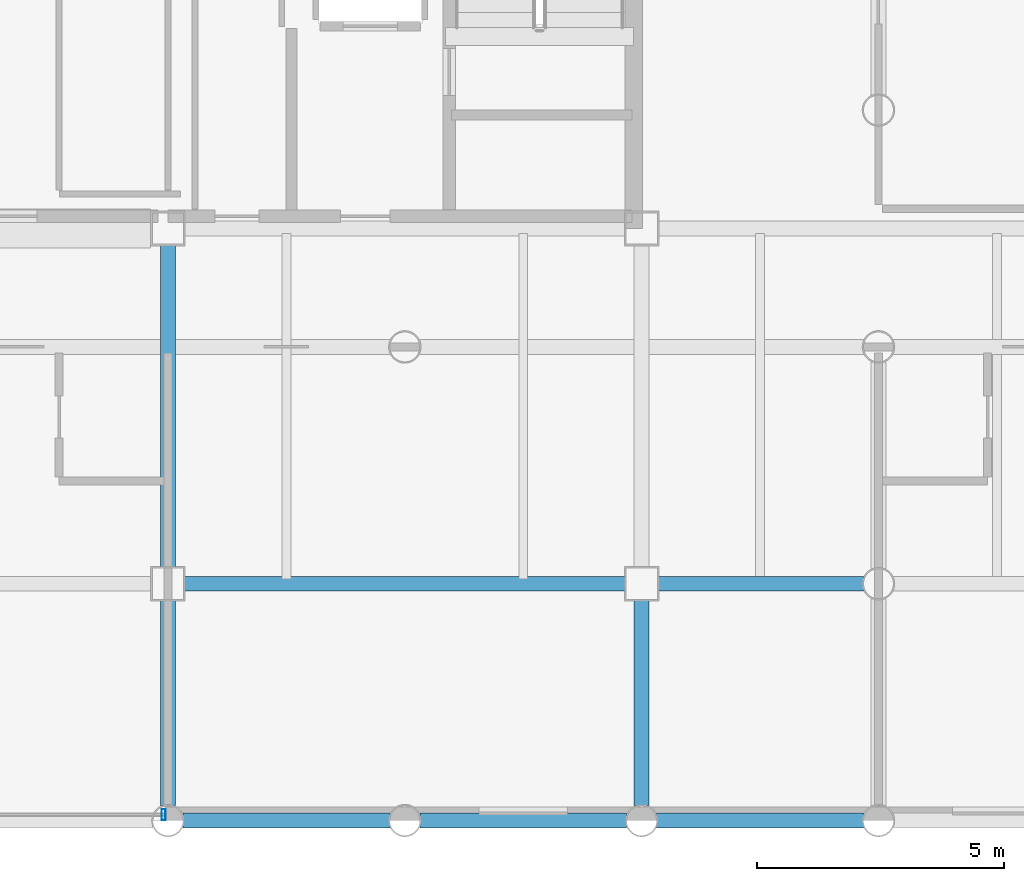
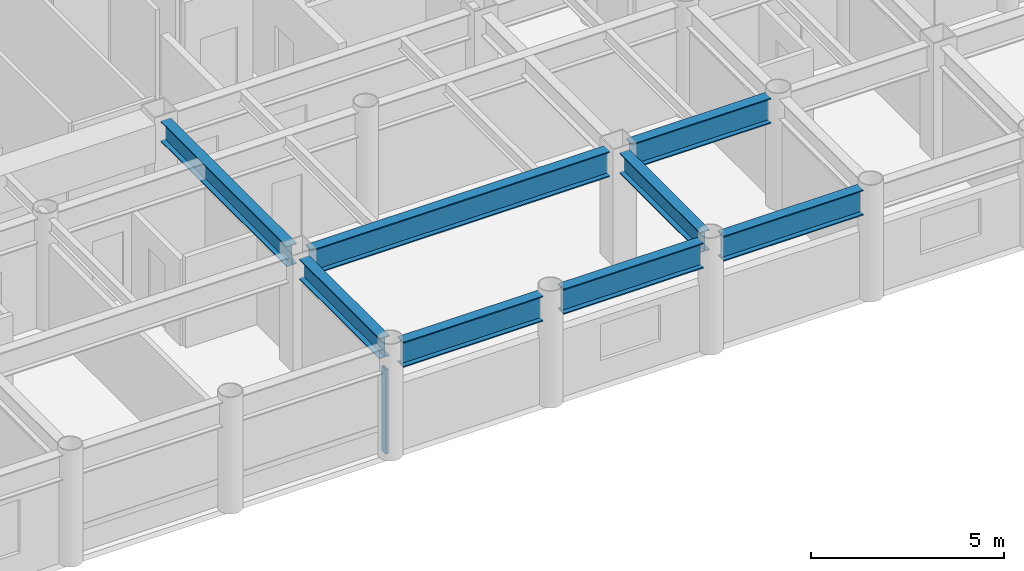
# One storey, part 6 of 22: 8 beams, 1 member, 1 element without a shape of its own.
"""IFC4 building model written with IfcOpenShell, lengths in metres."""

from ifc_helpers import new_model, si_unit, direction, frame, origin, origin_2d, place, context, subcontext, project, spatial, hollow_rectangle, i_section, extrude, material, layer, layer_set, material_profile, profile_set, type_object, element, aggregate, save


model = new_model("IFC4")

# Units and contexts
model_context = context("Model", 3, precision=1e-05, world=origin(), true_north=direction((0.0, 1.0)))
body_context = subcontext(model_context, "Body", "Model", "MODEL_VIEW")
ifc_project = project(units=[si_unit("LENGTHUNIT", "METRE"), si_unit("AREAUNIT", "SQUARE_METRE"), si_unit("VOLUMEUNIT", "CUBIC_METRE"), si_unit("PLANEANGLEUNIT", "RADIAN"), si_unit("MASSUNIT", "GRAM", prefix="KILO")], contexts=[model_context])

# Site, building, storey
site_placement = place(None, origin())
site = spatial("IfcSite", under=ifc_project, at=site_placement, CompositionType="ELEMENT")
building_placement = place(site_placement, origin())
building = spatial("IfcBuilding", under=site, at=building_placement, Name="Kallvorn Hotel Tower", CompositionType="ELEMENT")
storey_placement = place(building_placement, frame((0.0, 0.0, 113.699951171875)))
storey = spatial("IfcBuildingStorey", under=building, at=storey_placement, Name="L27", CompositionType="ELEMENT", Elevation=113.699951171875)

# Beams
ifc_material_1 = material(Name="Structural steel S355JR", Category="steel")
ifc_material_profile_1 = material_profile(ifc_material_1, i_section(OverallWidth=0.300048828125, OverallDepth=0.64990234375, WebThickness=0.01611328125, FlangeThickness=0.031005859375, at=origin_2d()), Name="HE 650 B")
ifc_profile_set_1 = profile_set([ifc_material_profile_1], Name="Structural steel S355JR")
beam_type_1 = type_object("IfcBeamType", Name="BM_HE650B", PredefinedType="BEAM", material=ifc_profile_set_1)
beam_1_placement = place(storey_placement, frame((4.800048828125, -18.89501953125, 3.195068359375), z_axis=(0.0, 1.0, 0.0), x_axis=(-1.0, 0.0, 0.0)))
element("IfcBeam", 1, at=beam_1_placement, inside=storey, type_object=beam_type_1, Name="L28 Primary Y-Girder 113", PredefinedType="BEAM", context=body_context, shape_type="SweptSolid", body=[
    extrude(i_section(OverallWidth=0.300048828125, OverallDepth=0.64990234375, WebThickness=0.01611328125, FlangeThickness=0.031005859375, at=origin_2d()), origin(), (0.0, 0.0, 1.0), 4.169921875),
])
beam_2_placement = place(storey_placement, frame((4.800048828125, -14.074951171875, 3.195068359375), z_axis=(0.0, 1.0, 0.0), x_axis=(-1.0, 0.0, 0.0)))
element("IfcBeam", 2, at=beam_2_placement, inside=storey, type_object=beam_type_1, Name="L28 Primary Y-Girder 114", PredefinedType="BEAM", context=body_context, shape_type="SweptSolid", body=[
    extrude(i_section(OverallWidth=0.300048828125, OverallDepth=0.64990234375, WebThickness=0.01611328125, FlangeThickness=0.031005859375, at=origin_2d()), origin(), (0.0, 0.0, 1.0), 6.550048828125),
])
beam_3_placement = place(storey_placement, frame((14.39990234375, -18.89501953125, 3.195068359375), z_axis=(0.0, 1.0, 0.0), x_axis=(-1.0, 0.0, 0.0)))
element("IfcBeam", 3, at=beam_3_placement, inside=storey, type_object=beam_type_1, Name="L28 Primary Y-Girder 121", PredefinedType="BEAM", context=body_context, shape_type="SweptSolid", body=[
    extrude(i_section(OverallWidth=0.300048828125, OverallDepth=0.64990234375, WebThickness=0.01611328125, FlangeThickness=0.031005859375, at=origin_2d()), origin(), (0.0, 0.0, 1.0), 4.169921875),
])
ifc_material_2 = material(Name="Structural steel S355JR", Category="steel")
ifc_material_profile_2 = material_profile(ifc_material_2, i_section(OverallWidth=0.300048828125, OverallDepth=0.800048828125, WebThickness=0.017578125, FlangeThickness=0.032958984375, at=origin_2d()), Name="HE 800 B")
ifc_profile_set_2 = profile_set([ifc_material_profile_2], Name="Structural steel S355JR")
beam_type_2 = type_object("IfcBeamType", Name="BM_HE800B", PredefinedType="BEAM", material=ifc_profile_set_2)
for number, where, z_axis, x_axis, name in (
    (4, (5.10498046875, -19.199951171875, 3.1201171875), (1.0, 0.0, 0.0), (0.0, 1.0, 0.0), "L28 Primary X-Girder 08"),
    (5, (9.905029296875, -19.199951171875, 3.1201171875), (1.0, 0.0, 0.0), (0.0, 1.0, 0.0), "L28 Primary X-Girder 09"),
    (6, (14.705078125, -19.199951171875, 3.1201171875), (1.0, 0.0, 0.0), (0.0, 1.0, 0.0), "L28 Primary X-Girder 10"),
):
    element("IfcBeam", number, at=place(storey_placement, frame(where, z_axis=z_axis, x_axis=x_axis)), inside=storey, type_object=beam_type_2, Name=name, PredefinedType="BEAM", context=body_context, shape_type="SweptSolid", body=[
        extrude(i_section(OverallWidth=0.300048828125, OverallDepth=0.800048828125, WebThickness=0.017578125, FlangeThickness=0.032958984375, at=origin_2d()), origin(), (0.0, 0.0, 1.0), 4.18994140625),
    ])
beam_4_placement = place(storey_placement, frame((5.125, -14.39990234375, 3.1201171875), z_axis=(1.0, 0.0, 0.0), x_axis=(0.0, 1.0, 0.0)))
element("IfcBeam", 7, at=beam_4_placement, inside=storey, type_object=beam_type_2, Name="L28 Primary X-Girder 18", PredefinedType="BEAM", context=body_context, shape_type="SweptSolid", body=[
    extrude(i_section(OverallWidth=0.300048828125, OverallDepth=0.800048828125, WebThickness=0.017578125, FlangeThickness=0.032958984375, at=origin_2d()), origin(), (0.0, 0.0, 1.0), 8.949951171875),
])
beam_5_placement = place(storey_placement, frame((14.72509765625, -14.39990234375, 3.1201171875), z_axis=(1.0, 0.0, 0.0), x_axis=(0.0, 1.0, 0.0)))
element("IfcBeam", 8, at=beam_5_placement, inside=storey, type_object=beam_type_2, Name="L28 Primary X-Girder 19", PredefinedType="BEAM", context=body_context, shape_type="SweptSolid", body=[
    extrude(i_section(OverallWidth=0.300048828125, OverallDepth=0.800048828125, WebThickness=0.017578125, FlangeThickness=0.032958984375, at=origin_2d()), origin(), (0.0, 0.0, 1.0), 4.169921875),
])

# Curtain wall, member
ifc_material_3 = material(Name="Thermally broken black-anodised aluminium AA 6063-T6", Category="aluminium")
ifc_layer = layer(ifc_material_3, 0.199951171875)
ifc_layer_set = layer_set([ifc_layer], Name="CW_SYS_3_HOTEL_LOW")
curtain_wall_type = type_object("IfcCurtainWallType", Name="CW_SYS_3_HOTEL_LOW", PredefinedType="USERDEFINED", material=ifc_layer_set)
curtain_wall_placement = place(storey_placement, origin())
curtain_wall = element("IfcCurtainWall", 9, at=curtain_wall_placement, inside=storey, type_object=curtain_wall_type, Name="L27 Dark-Glass Curtain Wall CW-L27-SC", ObjectType="UNITISED CURTAIN WALL", PredefinedType="USERDEFINED")
ifc_material_4 = material(Name="Thermally broken black-anodised aluminium AA 6063-T6", Category="aluminium")
ifc_material_profile_3 = material_profile(ifc_material_4, hollow_rectangle(XDim=0.080078125, YDim=0.219970703125, WallThickness=0.0048828125, at=origin_2d()), Name="MUL 220x80")
ifc_profile_set_3 = profile_set([ifc_material_profile_3], Name="Thermally broken black-anodised aluminium AA 6063-T6")
member_type = type_object("IfcMemberType", Name="CW_MULLION_220x80", PredefinedType="MULLION", material=ifc_profile_set_3)
member_placement = place(storey_placement, frame((4.7099609375, -19.080078125, 0.02001953125), z_axis=(0.0, 0.0, 1.0), x_axis=(1.0, 0.0, 0.0)))
member = element("IfcMember", 10, at=member_placement, type_object=member_type, Name="CW-L27-SC Mullion 02", PredefinedType="MULLION", context=body_context, shape_type="SweptSolid", body=[
    extrude(hollow_rectangle(XDim=0.080078125, YDim=0.219970703125, WallThickness=0.0048828125, at=origin_2d()), origin(), (0.0, 0.0, 1.0), 2.679931640625),
])
aggregate(curtain_wall, [member])

save(model, "model.ifc")
